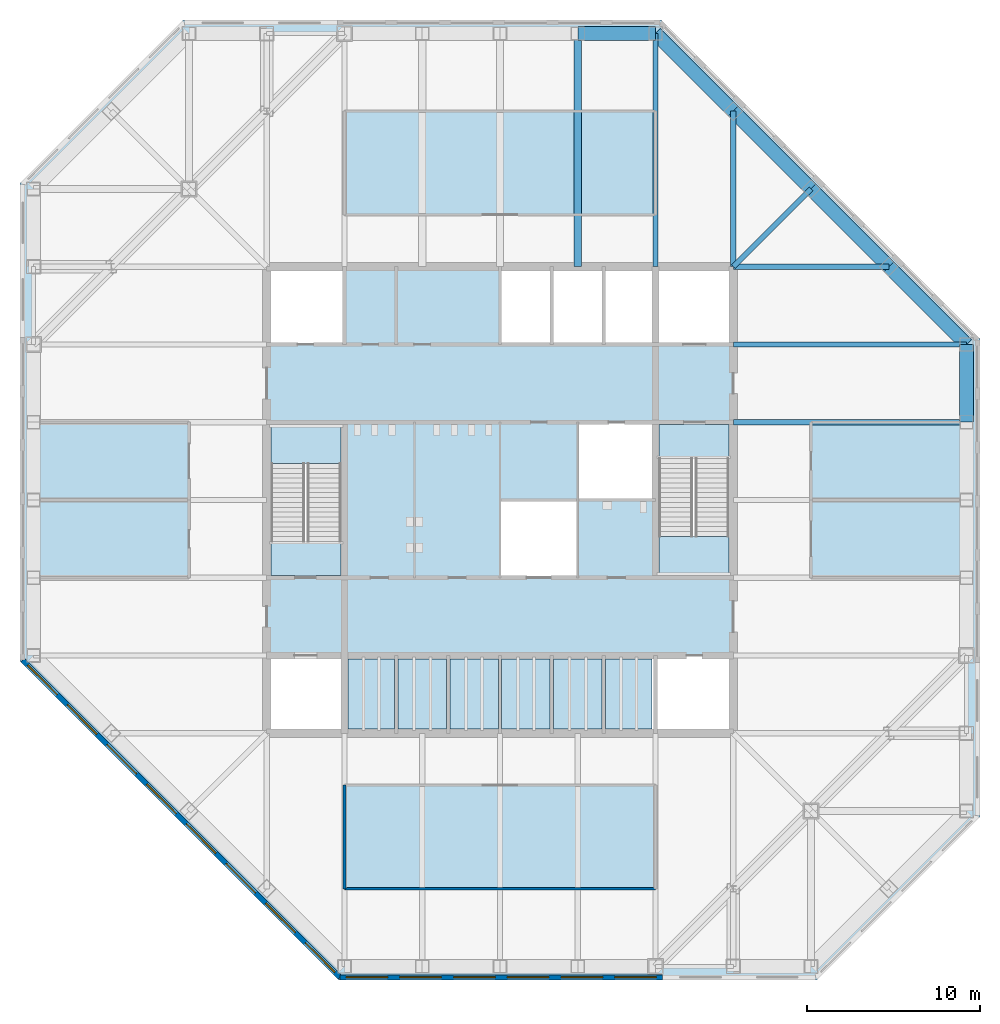
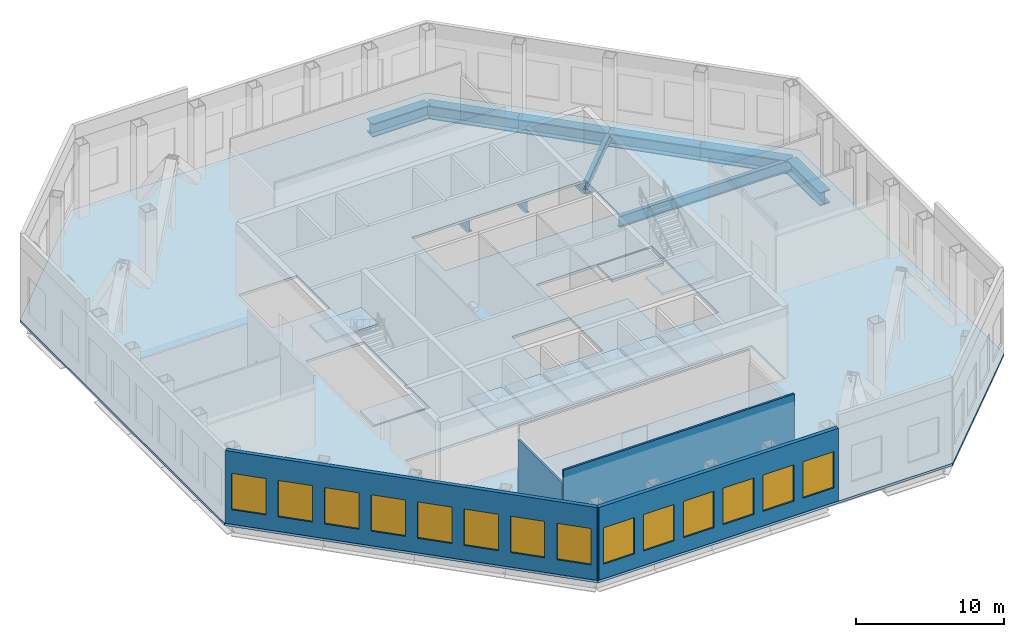
# One storey, part 4 of 10: 14 windows, 13 beams, 11 slabs, 4 walls, 14 openings, 2 elements without a shape of their own.
"""IFC4 building model written with IfcOpenShell, lengths in metres."""

from ifc_helpers import new_model, si_unit, direction, frame, frame_2d, origin, origin_2d, place, context, subcontext, project, spatial, polyline, rectangle, i_section, outline, extrude, material, layer, layer_set, material_profile, profile_set, type_object, element, fill, aggregate, save


model = new_model("IFC4")

# Units and contexts
model_context = context("Model", 3, precision=1e-05, world=origin(), true_north=direction((0.0, 1.0)))
body_context = subcontext(model_context, "Body", "Model", "MODEL_VIEW")
ifc_project = project(units=[si_unit("LENGTHUNIT", "METRE"), si_unit("AREAUNIT", "SQUARE_METRE"), si_unit("VOLUMEUNIT", "CUBIC_METRE"), si_unit("PLANEANGLEUNIT", "RADIAN"), si_unit("MASSUNIT", "GRAM", prefix="KILO")], contexts=[model_context])

# Site, building, storey
site_placement = place(None, origin())
site = spatial("IfcSite", under=ifc_project, at=site_placement, CompositionType="ELEMENT")
building_placement = place(site_placement, origin())
building = spatial("IfcBuilding", under=site, at=building_placement, Name="Corais Broadcast Tower", CompositionType="ELEMENT")
storey_placement = place(building_placement, frame((0.0, 0.0, 199.60009765625)))
storey = spatial("IfcBuildingStorey", under=building, at=storey_placement, Name="L46", CompositionType="ELEMENT", Elevation=199.60009765625)

# Beams
ifc_material_1 = material(Name="Steel ASTM A572 Grade 50", Category="steel")
ifc_material_profile_1 = material_profile(ifc_material_1, i_section(OverallWidth=0.323974609375, OverallDepth=0.611083984375, WebThickness=0.0126953125, FlangeThickness=0.01904296875, at=origin_2d()), Name="W610x155")
ifc_profile_set_1 = profile_set([ifc_material_profile_1], Name="Steel ASTM A572 Grade 50")
beam_type_1 = type_object("IfcBeamType", Name="Corner diagonal W610x155", PredefinedType="BEAM", material=ifc_profile_set_1)
beam_1_placement = place(storey_placement, frame((45.0, 45.0, -0.505615234375), z_axis=(-0.707106781187, -0.707106781187, 0.0), x_axis=(0.707106781187, -0.707106781187, 0.0)))
element("IfcBeam", 1, at=beam_1_placement, inside=storey, type_object=beam_type_1, Name="B6 L/13 to K/12", PredefinedType="BEAM", context=body_context, shape_type="SweptSolid", body=[
    extrude(i_section(OverallWidth=0.323974609375, OverallDepth=0.611083984375, WebThickness=0.0126953125, FlangeThickness=0.01904296875, at=origin_2d()), origin(), (0.0, 0.0, 1.0), 6.364013671875),
])
ifc_material_2 = material(Name="Steel ASTM A572 Grade 50", Category="steel")
ifc_material_profile_2 = material_profile(ifc_material_2, i_section(OverallWidth=0.30908203125, OverallDepth=0.931884765625, WebThickness=0.02099609375, FlangeThickness=0.034423828125, at=origin_2d()), Name="W920x313")
ifc_profile_set_2 = profile_set([ifc_material_profile_2], Name="Steel ASTM A572 Grade 50")
beam_type_2 = type_object("IfcBeamType", Name="Plant floor beam W920x313", PredefinedType="BEAM", material=ifc_profile_set_2)
beam_2_placement = place(storey_placement, frame((36.0, 54.0, -0.666015625), z_axis=(0.0, -1.0, 0.0), x_axis=(1.0, 0.0, 0.0)))
element("IfcBeam", 2, at=beam_2_placement, inside=storey, type_object=beam_type_2, Name="B17 N/11 to K/11", PredefinedType="BEAM", context=body_context, shape_type="SweptSolid", body=[
    extrude(i_section(OverallWidth=0.30908203125, OverallDepth=0.931884765625, WebThickness=0.02099609375, FlangeThickness=0.034423828125, at=origin_2d()), origin(), (0.0, 0.0, 1.0), 13.5),
])
for number, where, z_axis, x_axis, name in (
    (3, (40.5, 49.5, -0.666015625), (0.0, -1.0, 0.0), (1.0, 0.0, 0.0), "B17 M/12 to K/12"),
    (4, (49.5, 40.5, -0.666015625), (-1.0, 0.0, 0.0), (0.0, -1.0, 0.0), "B17 K/14 to K/12"),
):
    element("IfcBeam", number, at=place(storey_placement, frame(where, z_axis=z_axis, x_axis=x_axis)), inside=storey, type_object=beam_type_2, Name=name, PredefinedType="BEAM", context=body_context, shape_type="SweptSolid", body=[
        extrude(i_section(OverallWidth=0.30908203125, OverallDepth=0.931884765625, WebThickness=0.02099609375, FlangeThickness=0.034423828125, at=origin_2d()), origin(), (0.0, 0.0, 1.0), 9.0),
    ])
for number, where, z_axis, x_axis, name in (
    (5, (54.0, 31.5, -0.666015625), (-1.0, 0.0, 0.0), (0.0, -1.0, 0.0), "B17 H/15 to H/12"),
    (6, (54.0, 36.0, -0.666015625), (-1.0, 0.0, 0.0), (0.0, -1.0, 0.0), "B17 J/15 to J/12"),
):
    element("IfcBeam", number, at=place(storey_placement, frame(where, z_axis=z_axis, x_axis=x_axis)), inside=storey, type_object=beam_type_2, Name=name, PredefinedType="BEAM", context=body_context, shape_type="SweptSolid", body=[
        extrude(i_section(OverallWidth=0.30908203125, OverallDepth=0.931884765625, WebThickness=0.02099609375, FlangeThickness=0.034423828125, at=origin_2d()), origin(), (0.0, 0.0, 1.0), 13.5),
    ])
ifc_material_3 = material(Name="Steel ASTM A572 Grade 50", Category="steel")
ifc_material_profile_3 = material_profile(ifc_material_3, i_section(OverallWidth=0.4189453125, OverallDepth=0.94189453125, WebThickness=0.022216796875, FlangeThickness=0.03662109375, at=origin_2d()), Name="W920x345")
ifc_profile_set_3 = profile_set([ifc_material_profile_3], Name="Steel ASTM A572 Grade 50")
beam_type_3 = type_object("IfcBeamType", Name="Tank room floor beam W920x345", PredefinedType="BEAM", material=ifc_profile_set_3)
beam_3_placement = place(storey_placement, frame((31.5, 54.0, -0.671142578125), z_axis=(0.0, -1.0, 0.0), x_axis=(1.0, 0.0, 0.0)))
element("IfcBeam", 7, at=beam_3_placement, inside=storey, type_object=beam_type_3, Name="B20 N/10 to K/10", PredefinedType="BEAM", context=body_context, shape_type="SweptSolid", body=[
    extrude(i_section(OverallWidth=0.4189453125, OverallDepth=0.94189453125, WebThickness=0.022216796875, FlangeThickness=0.03662109375, at=origin_2d()), origin(), (0.0, 0.0, 1.0), 13.5),
])
ifc_material_4 = material(Name="Steel ASTM A572 Grade 50", Category="steel")
ifc_material_profile_4 = material_profile(ifc_material_4, i_section(OverallWidth=0.800048828125, OverallDepth=1.10009765625, WebThickness=0.030029296875, FlangeThickness=0.070068359375, at=origin_2d()), Name="PG1100x1105")
ifc_profile_set_4 = profile_set([ifc_material_profile_4], Name="Steel ASTM A572 Grade 50")
beam_type_4 = type_object("IfcBeamType", Name="Transfer spandrel PG1100x1105", PredefinedType="BEAM", material=ifc_profile_set_4)
beam_4_placement = place(storey_placement, frame((36.0, 54.0, -0.75), z_axis=(-1.0, 0.0, 0.0), x_axis=(0.0, -1.0, 0.0)))
element("IfcBeam", 8, at=beam_4_placement, inside=storey, type_object=beam_type_4, Name="SB8 N/11 to N/10", PredefinedType="BEAM", context=body_context, shape_type="SweptSolid", body=[
    extrude(i_section(OverallWidth=0.800048828125, OverallDepth=1.10009765625, WebThickness=0.030029296875, FlangeThickness=0.070068359375, at=origin_2d()), origin(), (0.0, 0.0, 1.0), 4.5),
])
for number, where, z_axis, x_axis, name in (
    (9, (40.5, 49.5, -0.75), (-0.707106781187, 0.707106781187, 0.0), (-0.707106781187, -0.707106781187, 0.0), "SB8 M/12 to N/11"),
    (10, (45.0, 45.0, -0.75), (-0.707106781187, 0.707106781187, 0.0), (-0.707106781187, -0.707106781187, 0.0), "SB8 L/13 to M/12"),
    (11, (49.5, 40.5, -0.75), (-0.707106781187, 0.707106781187, 0.0), (-0.707106781187, -0.707106781187, 0.0), "SB8 K/14 to L/13"),
):
    element("IfcBeam", number, at=place(storey_placement, frame(where, z_axis=z_axis, x_axis=x_axis)), inside=storey, type_object=beam_type_4, Name=name, PredefinedType="BEAM", context=body_context, shape_type="SweptSolid", body=[
        extrude(i_section(OverallWidth=0.800048828125, OverallDepth=1.10009765625, WebThickness=0.030029296875, FlangeThickness=0.070068359375, at=origin_2d()), origin(), (0.0, 0.0, 1.0), 6.364013671875),
    ])
beam_5_placement = place(storey_placement, frame((54.0, 31.5, -0.75), z_axis=(0.0, 1.0, 0.0), x_axis=(-1.0, 0.0, 0.0)))
element("IfcBeam", 12, at=beam_5_placement, inside=storey, type_object=beam_type_4, Name="SB8 H/15 to J/15", PredefinedType="BEAM", context=body_context, shape_type="SweptSolid", body=[
    extrude(i_section(OverallWidth=0.800048828125, OverallDepth=1.10009765625, WebThickness=0.030029296875, FlangeThickness=0.070068359375, at=origin_2d()), origin(), (0.0, 0.0, 1.0), 4.5),
])
beam_6_placement = place(storey_placement, frame((54.0, 36.0, -0.75), z_axis=(-0.707106781187, 0.707106781187, 0.0), x_axis=(-0.707106781187, -0.707106781187, 0.0)))
element("IfcBeam", 13, at=beam_6_placement, inside=storey, type_object=beam_type_4, Name="SB8 J/15 to K/14", PredefinedType="BEAM", context=body_context, shape_type="SweptSolid", body=[
    extrude(i_section(OverallWidth=0.800048828125, OverallDepth=1.10009765625, WebThickness=0.030029296875, FlangeThickness=0.070068359375, at=origin_2d()), origin(), (0.0, 0.0, 1.0), 6.364013671875),
])

# Slabs
ifc_material_5 = material(Name="Concrete C30/37", Category="concrete")
ifc_layer_1 = layer(ifc_material_5, 0.199951171875)
ifc_layer_set_1 = layer_set([ifc_layer_1], Name="Concrete C30/37")
slab_type_1 = type_object("IfcSlabType", Name="Composite floor slab 200", PredefinedType="FLOOR", material=ifc_layer_set_1)
slab_1_placement = place(storey_placement, frame((0.0, 0.0, -0.2001953125)))
element("IfcSlab", 14, at=slab_1_placement, inside=storey, type_object=slab_type_1, Name="S200 floor slab L46", PredefinedType="FLOOR", context=body_context, shape_type="SweptSolid", body=[
    extrude(outline(polyline([(17.677001953125, -0.780029296875), (-0.780029296875, 17.677001953125), (-0.780029296875, 45.322998046875), (8.677001953125, 54.780029296875), (36.322998046875, 54.780029296875), (54.780029296875, 36.322998046875), (54.780029296875, 8.677001953125), (45.322998046875, -0.780029296875), (17.677001953125, -0.780029296875)]), holes=[polyline([(13.5, 18.0), (40.5, 18.0), (40.5, 13.5), (13.5, 13.5), (13.5, 18.0)]), polyline([(18.0, 22.5), (13.5, 22.5), (13.5, 31.5), (18.0, 31.5), (18.0, 22.5)]), polyline([(18.0, 36.0), (13.5, 36.0), (13.5, 40.5), (18.0, 40.5), (18.0, 36.0)]), polyline([(31.5, 22.5), (27.0, 22.5), (27.0, 27.0), (31.4951171875, 27.0), (31.4951171875, 27.0048828125), (31.5, 27.0048828125), (31.5, 31.5), (40.5, 31.5), (40.5, 22.5), (36.0, 22.5), (36.0, 27.0), (31.5048828125, 27.0), (31.5048828125, 26.9951171875), (31.5, 26.9951171875), (31.5, 22.5)]), polyline([(27.0, 40.5), (40.5, 40.5), (40.5, 36.0), (27.0, 36.0), (27.0, 40.5)])]), origin(), (0.0, 0.0, 1.0), 0.2001953125),
])
ifc_material_6 = material(Name="Concrete C30/37", Category="concrete")
ifc_layer_2 = layer(ifc_material_6, 0.199951171875)
ifc_layer_set_2 = layer_set([ifc_layer_2], Name="Concrete C30/37")
slab_type_2 = type_object("IfcSlabType", Name="Lift shaft slab 200", PredefinedType="FLOOR", material=ifc_layer_set_2)
slab_2_placement = place(storey_placement, frame((0.0, 0.0, 3.39990234375)))
element("IfcSlab", 15, at=slab_2_placement, inside=storey, type_object=slab_type_2, Name="SS1 lift shaft slab L46 1", PredefinedType="FLOOR", context=body_context, shape_type="SweptSolid", body=[
    extrude(outline(polyline([(18.199951171875, 13.75), (20.89990234375, 13.75), (20.89990234375, 17.800048828125), (18.199951171875, 17.800048828125), (18.199951171875, 13.75)])), origin(), (0.0, 0.0, 1.0), 0.199951171875),
])
slab_3_placement = place(storey_placement, frame((0.0, 0.0, 3.39990234375)))
element("IfcSlab", 16, at=slab_3_placement, inside=storey, type_object=slab_type_2, Name="SS1 lift shaft slab L46 2", PredefinedType="FLOOR", context=body_context, shape_type="SweptSolid", body=[
    extrude(outline(polyline([(21.10009765625, 13.75), (23.89990234375, 13.75), (23.89990234375, 17.800048828125), (21.10009765625, 17.800048828125), (21.10009765625, 13.75)])), origin(), (0.0, 0.0, 1.0), 0.199951171875),
])
slab_4_placement = place(storey_placement, frame((0.0, 0.0, 3.39990234375)))
element("IfcSlab", 17, at=slab_4_placement, inside=storey, type_object=slab_type_2, Name="SS1 lift shaft slab L46 3", PredefinedType="FLOOR", context=body_context, shape_type="SweptSolid", body=[
    extrude(outline(polyline([(24.10009765625, 13.75), (26.89990234375, 13.75), (26.89990234375, 17.800048828125), (24.10009765625, 17.800048828125), (24.10009765625, 13.75)])), origin(), (0.0, 0.0, 1.0), 0.199951171875),
])
slab_5_placement = place(storey_placement, frame((0.0, 0.0, 3.39990234375)))
element("IfcSlab", 18, at=slab_5_placement, inside=storey, type_object=slab_type_2, Name="SS1 lift shaft slab L46 4", PredefinedType="FLOOR", context=body_context, shape_type="SweptSolid", body=[
    extrude(outline(polyline([(27.10009765625, 13.75), (29.89990234375, 13.75), (29.89990234375, 17.800048828125), (27.10009765625, 17.800048828125), (27.10009765625, 13.75)])), origin(), (0.0, 0.0, 1.0), 0.199951171875),
])
slab_6_placement = place(storey_placement, frame((0.0, 0.0, 3.39990234375)))
element("IfcSlab", 19, at=slab_6_placement, inside=storey, type_object=slab_type_2, Name="SS1 lift shaft slab L46 5", PredefinedType="FLOOR", context=body_context, shape_type="SweptSolid", body=[
    extrude(outline(polyline([(30.10009765625, 13.75), (32.89990234375, 13.75), (32.89990234375, 17.800048828125), (30.10009765625, 17.800048828125), (30.10009765625, 13.75)])), origin(), (0.0, 0.0, 1.0), 0.199951171875),
])
slab_7_placement = place(storey_placement, frame((0.0, 0.0, 3.39990234375)))
element("IfcSlab", 20, at=slab_7_placement, inside=storey, type_object=slab_type_2, Name="SS1 lift shaft slab L46 6", PredefinedType="FLOOR", context=body_context, shape_type="SweptSolid", body=[
    extrude(outline(polyline([(33.10009765625, 13.75), (35.800048828125, 13.75), (35.800048828125, 17.800048828125), (33.10009765625, 17.800048828125), (33.10009765625, 13.75)])), origin(), (0.0, 0.0, 1.0), 0.199951171875),
])

# Stair, slabs
ifc_material_7 = material(Name="Concrete C30/37", Category="concrete")
stair_type = type_object("IfcStairType", Name="Half-turn stair 6000", PredefinedType="HALF_TURN_STAIR", material=ifc_material_7)
stair_1_placement = place(storey_placement, origin())
stair_1 = element("IfcStair", 21, at=stair_1_placement, inside=storey, type_object=stair_type, Name="Stair A L46", PredefinedType="HALF_TURN_STAIR")
ifc_material_8 = material(Name="Concrete C30/37", Category="concrete")
ifc_layer_3 = layer(ifc_material_8, 0.199951171875)
ifc_layer_set_3 = layer_set([ifc_layer_3], Name="Concrete C30/37")
slab_type_3 = type_object("IfcSlabType", Name="Stair landing 200", PredefinedType="LANDING", material=ifc_layer_set_3)
slab_8_placement = place(storey_placement, frame((0.0, 0.0, -0.2001953125)))
slab_8 = element("IfcSlab", 22, at=slab_8_placement, type_object=slab_type_3, Name="STA landing 1", PredefinedType="LANDING", context=body_context, shape_type="SweptSolid", body=[
    extrude(outline(polyline([(13.75, 22.625), (17.800048828125, 22.625), (17.800048828125, 24.60009765625), (13.75, 24.60009765625), (13.75, 22.625)])), origin(), (0.0, 0.0, 1.0), 0.2001953125),
])
slab_9_placement = place(storey_placement, frame((0.0, 0.0, 2.7998046875)))
slab_9 = element("IfcSlab", 23, at=slab_9_placement, type_object=slab_type_3, Name="STA landing 2", PredefinedType="LANDING", context=body_context, shape_type="SweptSolid", body=[
    extrude(outline(polyline([(13.75, 29.112060546875), (17.800048828125, 29.112060546875), (17.800048828125, 31.375), (13.75, 31.375), (13.75, 29.112060546875)])), origin(), (0.0, 0.0, 1.0), 0.2001953125),
])
aggregate(stair_1, [slab_8, slab_9])

stair_2_placement = place(storey_placement, origin())
stair_2 = element("IfcStair", 24, at=stair_2_placement, inside=storey, type_object=stair_type, Name="Stair B L46", PredefinedType="HALF_TURN_STAIR")
slab_10_placement = place(storey_placement, frame((0.0, 0.0, -0.2001953125)))
slab_10 = element("IfcSlab", 25, at=slab_10_placement, type_object=slab_type_3, Name="STB landing 1", PredefinedType="LANDING", context=body_context, shape_type="SweptSolid", body=[
    extrude(outline(polyline([(36.199951171875, 29.39990234375), (40.25, 29.39990234375), (40.25, 31.375), (36.199951171875, 31.375), (36.199951171875, 29.39990234375)])), origin(), (0.0, 0.0, 1.0), 0.2001953125),
])
slab_11_placement = place(storey_placement, frame((0.0, 0.0, 2.7998046875)))
slab_11 = element("IfcSlab", 26, at=slab_11_placement, type_object=slab_type_3, Name="STB landing 2", PredefinedType="LANDING", context=body_context, shape_type="SweptSolid", body=[
    extrude(outline(polyline([(36.199951171875, 22.625), (40.25, 22.625), (40.25, 24.887939453125), (36.199951171875, 24.887939453125), (36.199951171875, 22.625)])), origin(), (0.0, 0.0, 1.0), 0.2001953125),
])
aggregate(stair_2, [slab_10, slab_11])

# Walls
ifc_material_9 = material(Name="Two layers of fire-rated gypsum board each side on steel studs", Category="steel")
ifc_layer_4 = layer(ifc_material_9, 0.14990234375)
ifc_layer_set_4 = layer_set([ifc_layer_4], Name="Two layers of fire-rated gypsum board each side on steel studs")
wall_type_1 = type_object("IfcWallType", Name="Fire-rated partition 150 EI 60", PredefinedType="PARTITIONING", material=ifc_layer_set_4)
wall_1_placement = place(storey_placement, frame((18.0, 4.5, 0.0), z_axis=(0.0, 0.0, 1.0), x_axis=(1.0, 0.0, 0.0)))
element("IfcWall", 27, at=wall_1_placement, inside=storey, type_object=wall_type_1, Name="IW7 partition L46", PredefinedType="PARTITIONING", context=body_context, shape_type="SweptSolid", body=[
    extrude(rectangle(XDim=18.0, YDim=0.14990234375, at=frame_2d((9.0, 0.0))), origin(), (0.0, 0.0, 1.0), 5.81982421875),
])
wall_2_placement = place(storey_placement, frame((18.0, 10.5, 0.0), z_axis=(0.0, 0.0, 1.0), x_axis=(0.0, -1.0, 0.0)))
element("IfcWall", 28, at=wall_2_placement, inside=storey, type_object=wall_type_1, Name="IW7 partition L46", PredefinedType="PARTITIONING", context=body_context, shape_type="SweptSolid", body=[
    extrude(rectangle(XDim=6.0, YDim=0.14990234375, at=frame_2d((3.0, 0.0))), origin(), (0.0, 0.0, 1.0), 4.719970703125),
])

# Wall, openings, windows
ifc_material_10 = material(Name="Precast concrete C40/50", Category="concrete")
ifc_layer_5 = layer(ifc_material_10, 0.300048828125)
ifc_layer_set_5 = layer_set([ifc_layer_5], Name="Precast concrete C40/50")
wall_type_2 = type_object("IfcWallType", Name="Stone-faced precast wall 300", PredefinedType="SOLIDWALL", material=ifc_layer_set_5)
wall_3_placement = place(storey_placement, frame((17.739013671875, -0.6298828125, 0.0), z_axis=(0.0, 0.0, 1.0), x_axis=(-0.707106781187, 0.707106781187, 0.0)))
wall_3 = element("IfcWall", 29, at=wall_3_placement, inside=storey, type_object=wall_type_2, Name="EW1 external wall L46 1", PredefinedType="SOLIDWALL", context=body_context, shape_type="SweptSolid", body=[
    extrude(rectangle(XDim=25.9775390625, YDim=0.300048828125, at=frame_2d((12.98876953125, 0.0))), origin(), (0.0, 0.0, 1.0), 6.0),
])
opening_1_placement = place(wall_3_placement, frame((0.423583984375, 0.0, 1.199951171875)))
opening_1 = element("IfcOpeningElement", 30, at=opening_1_placement, cuts=wall_3, Name="Opening LV1", PredefinedType="OPENING", context=body_context, shape_type="SweptSolid", body=[
    extrude(rectangle(XDim=2.39990234375, YDim=3.0, at=frame_2d((1.199951171875, 1.5))), frame((0.0, 0.159912109375, 0.0), z_axis=(0.0, -1.0, 0.0), x_axis=(1.0, 0.0, 0.0)), (0.0, 0.0, 1.0), 0.320068359375),
])
opening_2_placement = place(wall_3_placement, frame((3.6708984375, 0.0, 1.199951171875)))
opening_2 = element("IfcOpeningElement", 31, at=opening_2_placement, cuts=wall_3, Name="Opening LV1", PredefinedType="OPENING", context=body_context, shape_type="SweptSolid", body=[
    extrude(rectangle(XDim=2.39990234375, YDim=3.0, at=frame_2d((1.199951171875, 1.5))), frame((0.0, 0.159912109375, 0.0), z_axis=(0.0, -1.0, 0.0), x_axis=(1.0, 0.0, 0.0)), (0.0, 0.0, 1.0), 0.320068359375),
])
opening_3_placement = place(wall_3_placement, frame((6.91796875, 0.0, 1.199951171875)))
opening_3 = element("IfcOpeningElement", 32, at=opening_3_placement, cuts=wall_3, Name="Opening LV1", PredefinedType="OPENING", context=body_context, shape_type="SweptSolid", body=[
    extrude(rectangle(XDim=2.39990234375, YDim=3.0, at=frame_2d((1.199951171875, 1.5))), frame((0.0, 0.159912109375, 0.0), z_axis=(0.0, -1.0, 0.0), x_axis=(1.0, 0.0, 0.0)), (0.0, 0.0, 1.0), 0.320068359375),
])
opening_4_placement = place(wall_3_placement, frame((10.165283203125, 0.0, 1.199951171875)))
opening_4 = element("IfcOpeningElement", 33, at=opening_4_placement, cuts=wall_3, Name="Opening LV1", PredefinedType="OPENING", context=body_context, shape_type="SweptSolid", body=[
    extrude(rectangle(XDim=2.39990234375, YDim=3.0, at=frame_2d((1.199951171875, 1.5))), frame((0.0, 0.159912109375, 0.0), z_axis=(0.0, -1.0, 0.0), x_axis=(1.0, 0.0, 0.0)), (0.0, 0.0, 1.0), 0.320068359375),
])
opening_5_placement = place(wall_3_placement, frame((13.412353515625, 0.0, 1.199951171875)))
opening_5 = element("IfcOpeningElement", 34, at=opening_5_placement, cuts=wall_3, Name="Opening LV1", PredefinedType="OPENING", context=body_context, shape_type="SweptSolid", body=[
    extrude(rectangle(XDim=2.39990234375, YDim=3.0, at=frame_2d((1.199951171875, 1.5))), frame((0.0, 0.159912109375, 0.0), z_axis=(0.0, -1.0, 0.0), x_axis=(1.0, 0.0, 0.0)), (0.0, 0.0, 1.0), 0.320068359375),
])
opening_6_placement = place(wall_3_placement, frame((16.65966796875, 0.0, 1.199951171875)))
opening_6 = element("IfcOpeningElement", 35, at=opening_6_placement, cuts=wall_3, Name="Opening LV1", PredefinedType="OPENING", context=body_context, shape_type="SweptSolid", body=[
    extrude(rectangle(XDim=2.39990234375, YDim=3.0, at=frame_2d((1.199951171875, 1.5))), frame((0.0, 0.159912109375, 0.0), z_axis=(0.0, -1.0, 0.0), x_axis=(1.0, 0.0, 0.0)), (0.0, 0.0, 1.0), 0.320068359375),
])
opening_7_placement = place(wall_3_placement, frame((19.906982421875, 0.0, 1.199951171875)))
opening_7 = element("IfcOpeningElement", 36, at=opening_7_placement, cuts=wall_3, Name="Opening LV1", PredefinedType="OPENING", context=body_context, shape_type="SweptSolid", body=[
    extrude(rectangle(XDim=2.39990234375, YDim=3.0, at=frame_2d((1.199951171875, 1.5))), frame((0.0, 0.159912109375, 0.0), z_axis=(0.0, -1.0, 0.0), x_axis=(1.0, 0.0, 0.0)), (0.0, 0.0, 1.0), 0.320068359375),
])
opening_8_placement = place(wall_3_placement, frame((23.154052734375, 0.0, 1.199951171875)))
opening_8 = element("IfcOpeningElement", 37, at=opening_8_placement, cuts=wall_3, Name="Opening LV1", PredefinedType="OPENING", context=body_context, shape_type="SweptSolid", body=[
    extrude(rectangle(XDim=2.39990234375, YDim=3.0, at=frame_2d((1.199951171875, 1.5))), frame((0.0, 0.159912109375, 0.0), z_axis=(0.0, -1.0, 0.0), x_axis=(1.0, 0.0, 0.0)), (0.0, 0.0, 1.0), 0.320068359375),
])
ifc_material_11 = material(Name="Aluminium frame", Category="aluminium")
window_type = type_object("IfcWindowType", Name="Plant louvre 2400x3000", PartitioningType="SINGLE_PANEL", PredefinedType="USERDEFINED", material=ifc_material_11)
window_1_placement = place(opening_1_placement, origin())
window_1 = element("IfcWindow", 38, at=window_1_placement, inside=storey, type_object=window_type, Name="LV1 window L46", ObjectType="LOUVRE", OverallHeight=3.0, OverallWidth=2.39990234375, PartitioningType="SINGLE_PANEL", PredefinedType="USERDEFINED", context=body_context, shape_type="SweptSolid", body=[
    extrude(rectangle(XDim=2.39990234375, YDim=3.0, at=frame_2d((1.199951171875, 1.5))), frame((0.0, 0.030029296875, 0.0), z_axis=(0.0, -1.0, 0.0), x_axis=(1.0, 0.0, 0.0)), (0.0, 0.0, 1.0), 0.06005859375),
])
fill(opening_1, window_1)
window_2_placement = place(opening_2_placement, origin())
window_2 = element("IfcWindow", 39, at=window_2_placement, inside=storey, type_object=window_type, Name="LV1 window L46", ObjectType="LOUVRE", OverallHeight=3.0, OverallWidth=2.39990234375, PartitioningType="SINGLE_PANEL", PredefinedType="USERDEFINED", context=body_context, shape_type="SweptSolid", body=[
    extrude(rectangle(XDim=2.39990234375, YDim=3.0, at=frame_2d((1.199951171875, 1.5))), frame((0.0, 0.030029296875, 0.0), z_axis=(0.0, -1.0, 0.0), x_axis=(1.0, 0.0, 0.0)), (0.0, 0.0, 1.0), 0.06005859375),
])
fill(opening_2, window_2)
window_3_placement = place(opening_3_placement, origin())
window_3 = element("IfcWindow", 40, at=window_3_placement, inside=storey, type_object=window_type, Name="LV1 window L46", ObjectType="LOUVRE", OverallHeight=3.0, OverallWidth=2.39990234375, PartitioningType="SINGLE_PANEL", PredefinedType="USERDEFINED", context=body_context, shape_type="SweptSolid", body=[
    extrude(rectangle(XDim=2.39990234375, YDim=3.0, at=frame_2d((1.199951171875, 1.5))), frame((0.0, 0.030029296875, 0.0), z_axis=(0.0, -1.0, 0.0), x_axis=(1.0, 0.0, 0.0)), (0.0, 0.0, 1.0), 0.06005859375),
])
fill(opening_3, window_3)
window_4_placement = place(opening_4_placement, origin())
window_4 = element("IfcWindow", 41, at=window_4_placement, inside=storey, type_object=window_type, Name="LV1 window L46", ObjectType="LOUVRE", OverallHeight=3.0, OverallWidth=2.39990234375, PartitioningType="SINGLE_PANEL", PredefinedType="USERDEFINED", context=body_context, shape_type="SweptSolid", body=[
    extrude(rectangle(XDim=2.39990234375, YDim=3.0, at=frame_2d((1.199951171875, 1.5))), frame((0.0, 0.030029296875, 0.0), z_axis=(0.0, -1.0, 0.0), x_axis=(1.0, 0.0, 0.0)), (0.0, 0.0, 1.0), 0.06005859375),
])
fill(opening_4, window_4)
window_5_placement = place(opening_5_placement, origin())
window_5 = element("IfcWindow", 42, at=window_5_placement, inside=storey, type_object=window_type, Name="LV1 window L46", ObjectType="LOUVRE", OverallHeight=3.0, OverallWidth=2.39990234375, PartitioningType="SINGLE_PANEL", PredefinedType="USERDEFINED", context=body_context, shape_type="SweptSolid", body=[
    extrude(rectangle(XDim=2.39990234375, YDim=3.0, at=frame_2d((1.199951171875, 1.5))), frame((0.0, 0.030029296875, 0.0), z_axis=(0.0, -1.0, 0.0), x_axis=(1.0, 0.0, 0.0)), (0.0, 0.0, 1.0), 0.06005859375),
])
fill(opening_5, window_5)
window_6_placement = place(opening_6_placement, origin())
window_6 = element("IfcWindow", 43, at=window_6_placement, inside=storey, type_object=window_type, Name="LV1 window L46", ObjectType="LOUVRE", OverallHeight=3.0, OverallWidth=2.39990234375, PartitioningType="SINGLE_PANEL", PredefinedType="USERDEFINED", context=body_context, shape_type="SweptSolid", body=[
    extrude(rectangle(XDim=2.39990234375, YDim=3.0, at=frame_2d((1.199951171875, 1.5))), frame((0.0, 0.030029296875, 0.0), z_axis=(0.0, -1.0, 0.0), x_axis=(1.0, 0.0, 0.0)), (0.0, 0.0, 1.0), 0.06005859375),
])
fill(opening_6, window_6)
window_7_placement = place(opening_7_placement, origin())
window_7 = element("IfcWindow", 44, at=window_7_placement, inside=storey, type_object=window_type, Name="LV1 window L46", ObjectType="LOUVRE", OverallHeight=3.0, OverallWidth=2.39990234375, PartitioningType="SINGLE_PANEL", PredefinedType="USERDEFINED", context=body_context, shape_type="SweptSolid", body=[
    extrude(rectangle(XDim=2.39990234375, YDim=3.0, at=frame_2d((1.199951171875, 1.5))), frame((0.0, 0.030029296875, 0.0), z_axis=(0.0, -1.0, 0.0), x_axis=(1.0, 0.0, 0.0)), (0.0, 0.0, 1.0), 0.06005859375),
])
fill(opening_7, window_7)
window_8_placement = place(opening_8_placement, origin())
window_8 = element("IfcWindow", 45, at=window_8_placement, inside=storey, type_object=window_type, Name="LV1 window L46", ObjectType="LOUVRE", OverallHeight=3.0, OverallWidth=2.39990234375, PartitioningType="SINGLE_PANEL", PredefinedType="USERDEFINED", context=body_context, shape_type="SweptSolid", body=[
    extrude(rectangle(XDim=2.39990234375, YDim=3.0, at=frame_2d((1.199951171875, 1.5))), frame((0.0, 0.030029296875, 0.0), z_axis=(0.0, -1.0, 0.0), x_axis=(1.0, 0.0, 0.0)), (0.0, 0.0, 1.0), 0.06005859375),
])
fill(opening_8, window_8)

wall_4_placement = place(storey_placement, frame((36.40234375, -0.6298828125, 0.0), z_axis=(0.0, 0.0, 1.0), x_axis=(-1.0, 0.0, 0.0)))
wall_4 = element("IfcWall", 46, at=wall_4_placement, inside=storey, type_object=wall_type_2, Name="EW1 external wall L46 8", PredefinedType="SOLIDWALL", context=body_context, shape_type="SweptSolid", body=[
    extrude(rectangle(XDim=18.663330078125, YDim=0.300048828125, at=frame_2d((9.33154296875, 0.0))), origin(), (0.0, 0.0, 1.0), 6.0),
])
opening_9_placement = place(wall_4_placement, frame((0.355224609375, 0.0, 1.199951171875)))
opening_9 = element("IfcOpeningElement", 47, at=opening_9_placement, cuts=wall_4, Name="Opening LV1", PredefinedType="OPENING", context=body_context, shape_type="SweptSolid", body=[
    extrude(rectangle(XDim=2.39990234375, YDim=3.0, at=frame_2d((1.199951171875, 1.5))), frame((0.0, 0.159912109375, 0.0), z_axis=(0.0, -1.0, 0.0), x_axis=(1.0, 0.0, 0.0)), (0.0, 0.0, 1.0), 0.320068359375),
])
opening_10_placement = place(wall_4_placement, frame((3.4658203125, 0.0, 1.199951171875)))
opening_10 = element("IfcOpeningElement", 48, at=opening_10_placement, cuts=wall_4, Name="Opening LV1", PredefinedType="OPENING", context=body_context, shape_type="SweptSolid", body=[
    extrude(rectangle(XDim=2.39990234375, YDim=3.0, at=frame_2d((1.199951171875, 1.5))), frame((0.0, 0.159912109375, 0.0), z_axis=(0.0, -1.0, 0.0), x_axis=(1.0, 0.0, 0.0)), (0.0, 0.0, 1.0), 0.320068359375),
])
opening_11_placement = place(wall_4_placement, frame((6.576416015625, 0.0, 1.199951171875)))
opening_11 = element("IfcOpeningElement", 49, at=opening_11_placement, cuts=wall_4, Name="Opening LV1", PredefinedType="OPENING", context=body_context, shape_type="SweptSolid", body=[
    extrude(rectangle(XDim=2.39990234375, YDim=3.0, at=frame_2d((1.199951171875, 1.5))), frame((0.0, 0.159912109375, 0.0), z_axis=(0.0, -1.0, 0.0), x_axis=(1.0, 0.0, 0.0)), (0.0, 0.0, 1.0), 0.320068359375),
])
opening_12_placement = place(wall_4_placement, frame((9.68701171875, 0.0, 1.199951171875)))
opening_12 = element("IfcOpeningElement", 50, at=opening_12_placement, cuts=wall_4, Name="Opening LV1", PredefinedType="OPENING", context=body_context, shape_type="SweptSolid", body=[
    extrude(rectangle(XDim=2.39990234375, YDim=3.0, at=frame_2d((1.199951171875, 1.5))), frame((0.0, 0.159912109375, 0.0), z_axis=(0.0, -1.0, 0.0), x_axis=(1.0, 0.0, 0.0)), (0.0, 0.0, 1.0), 0.320068359375),
])
opening_13_placement = place(wall_4_placement, frame((12.797607421875, 0.0, 1.199951171875)))
opening_13 = element("IfcOpeningElement", 51, at=opening_13_placement, cuts=wall_4, Name="Opening LV1", PredefinedType="OPENING", context=body_context, shape_type="SweptSolid", body=[
    extrude(rectangle(XDim=2.39990234375, YDim=3.0, at=frame_2d((1.199951171875, 1.5))), frame((0.0, 0.159912109375, 0.0), z_axis=(0.0, -1.0, 0.0), x_axis=(1.0, 0.0, 0.0)), (0.0, 0.0, 1.0), 0.320068359375),
])
opening_14_placement = place(wall_4_placement, frame((15.908203125, 0.0, 1.199951171875)))
opening_14 = element("IfcOpeningElement", 52, at=opening_14_placement, cuts=wall_4, Name="Opening LV1", PredefinedType="OPENING", context=body_context, shape_type="SweptSolid", body=[
    extrude(rectangle(XDim=2.39990234375, YDim=3.0, at=frame_2d((1.199951171875, 1.5))), frame((0.0, 0.159912109375, 0.0), z_axis=(0.0, -1.0, 0.0), x_axis=(1.0, 0.0, 0.0)), (0.0, 0.0, 1.0), 0.320068359375),
])
window_9_placement = place(opening_9_placement, origin())
window_9 = element("IfcWindow", 53, at=window_9_placement, inside=storey, type_object=window_type, Name="LV1 window L46", ObjectType="LOUVRE", OverallHeight=3.0, OverallWidth=2.39990234375, PartitioningType="SINGLE_PANEL", PredefinedType="USERDEFINED", context=body_context, shape_type="SweptSolid", body=[
    extrude(rectangle(XDim=2.39990234375, YDim=3.0, at=frame_2d((1.199951171875, 1.5))), frame((0.0, 0.030029296875, 0.0), z_axis=(0.0, -1.0, 0.0), x_axis=(1.0, 0.0, 0.0)), (0.0, 0.0, 1.0), 0.06005859375),
])
fill(opening_9, window_9)
window_10_placement = place(opening_10_placement, origin())
window_10 = element("IfcWindow", 54, at=window_10_placement, inside=storey, type_object=window_type, Name="LV1 window L46", ObjectType="LOUVRE", OverallHeight=3.0, OverallWidth=2.39990234375, PartitioningType="SINGLE_PANEL", PredefinedType="USERDEFINED", context=body_context, shape_type="SweptSolid", body=[
    extrude(rectangle(XDim=2.39990234375, YDim=3.0, at=frame_2d((1.199951171875, 1.5))), frame((0.0, 0.030029296875, 0.0), z_axis=(0.0, -1.0, 0.0), x_axis=(1.0, 0.0, 0.0)), (0.0, 0.0, 1.0), 0.06005859375),
])
fill(opening_10, window_10)
window_11_placement = place(opening_11_placement, origin())
window_11 = element("IfcWindow", 55, at=window_11_placement, inside=storey, type_object=window_type, Name="LV1 window L46", ObjectType="LOUVRE", OverallHeight=3.0, OverallWidth=2.39990234375, PartitioningType="SINGLE_PANEL", PredefinedType="USERDEFINED", context=body_context, shape_type="SweptSolid", body=[
    extrude(rectangle(XDim=2.39990234375, YDim=3.0, at=frame_2d((1.199951171875, 1.5))), frame((0.0, 0.030029296875, 0.0), z_axis=(0.0, -1.0, 0.0), x_axis=(1.0, 0.0, 0.0)), (0.0, 0.0, 1.0), 0.06005859375),
])
fill(opening_11, window_11)
window_12_placement = place(opening_12_placement, origin())
window_12 = element("IfcWindow", 56, at=window_12_placement, inside=storey, type_object=window_type, Name="LV1 window L46", ObjectType="LOUVRE", OverallHeight=3.0, OverallWidth=2.39990234375, PartitioningType="SINGLE_PANEL", PredefinedType="USERDEFINED", context=body_context, shape_type="SweptSolid", body=[
    extrude(rectangle(XDim=2.39990234375, YDim=3.0, at=frame_2d((1.199951171875, 1.5))), frame((0.0, 0.030029296875, 0.0), z_axis=(0.0, -1.0, 0.0), x_axis=(1.0, 0.0, 0.0)), (0.0, 0.0, 1.0), 0.06005859375),
])
fill(opening_12, window_12)
window_13_placement = place(opening_13_placement, origin())
window_13 = element("IfcWindow", 57, at=window_13_placement, inside=storey, type_object=window_type, Name="LV1 window L46", ObjectType="LOUVRE", OverallHeight=3.0, OverallWidth=2.39990234375, PartitioningType="SINGLE_PANEL", PredefinedType="USERDEFINED", context=body_context, shape_type="SweptSolid", body=[
    extrude(rectangle(XDim=2.39990234375, YDim=3.0, at=frame_2d((1.199951171875, 1.5))), frame((0.0, 0.030029296875, 0.0), z_axis=(0.0, -1.0, 0.0), x_axis=(1.0, 0.0, 0.0)), (0.0, 0.0, 1.0), 0.06005859375),
])
fill(opening_13, window_13)
window_14_placement = place(opening_14_placement, origin())
window_14 = element("IfcWindow", 58, at=window_14_placement, inside=storey, type_object=window_type, Name="LV1 window L46", ObjectType="LOUVRE", OverallHeight=3.0, OverallWidth=2.39990234375, PartitioningType="SINGLE_PANEL", PredefinedType="USERDEFINED", context=body_context, shape_type="SweptSolid", body=[
    extrude(rectangle(XDim=2.39990234375, YDim=3.0, at=frame_2d((1.199951171875, 1.5))), frame((0.0, 0.030029296875, 0.0), z_axis=(0.0, -1.0, 0.0), x_axis=(1.0, 0.0, 0.0)), (0.0, 0.0, 1.0), 0.06005859375),
])
fill(opening_14, window_14)

save(model, "model.ifc")
